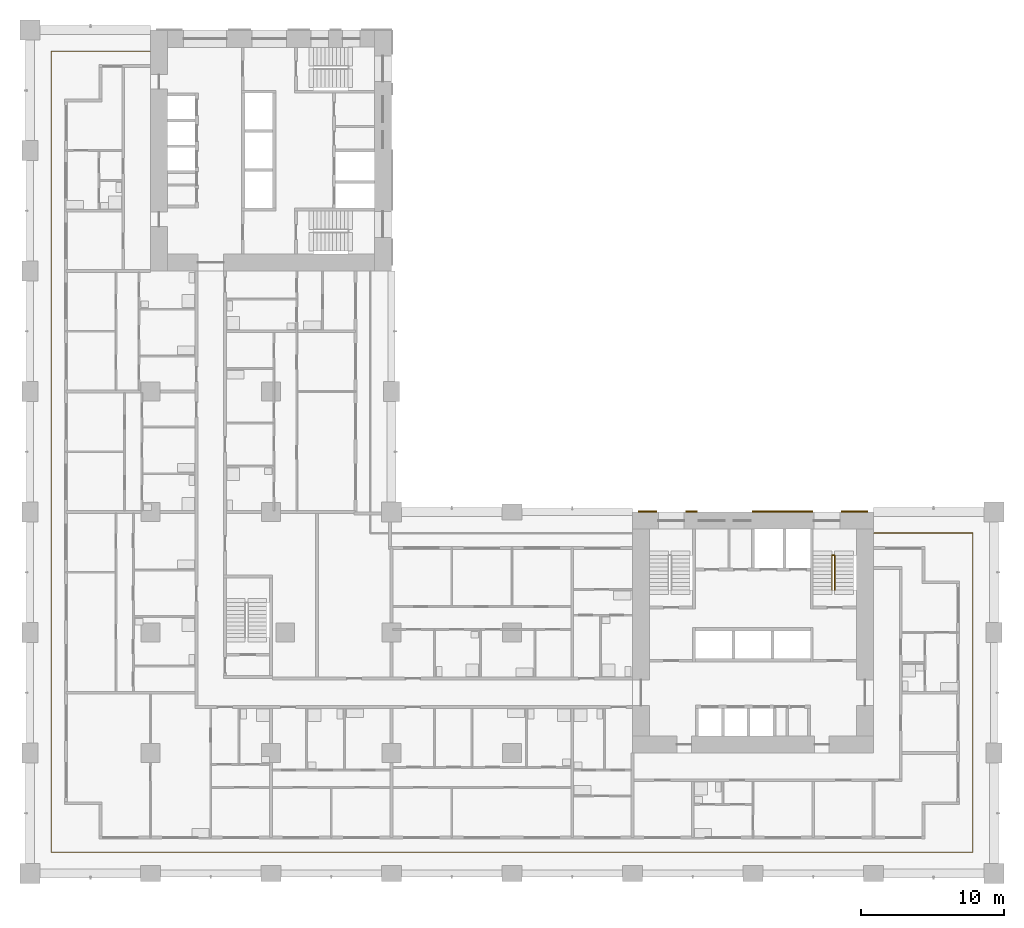
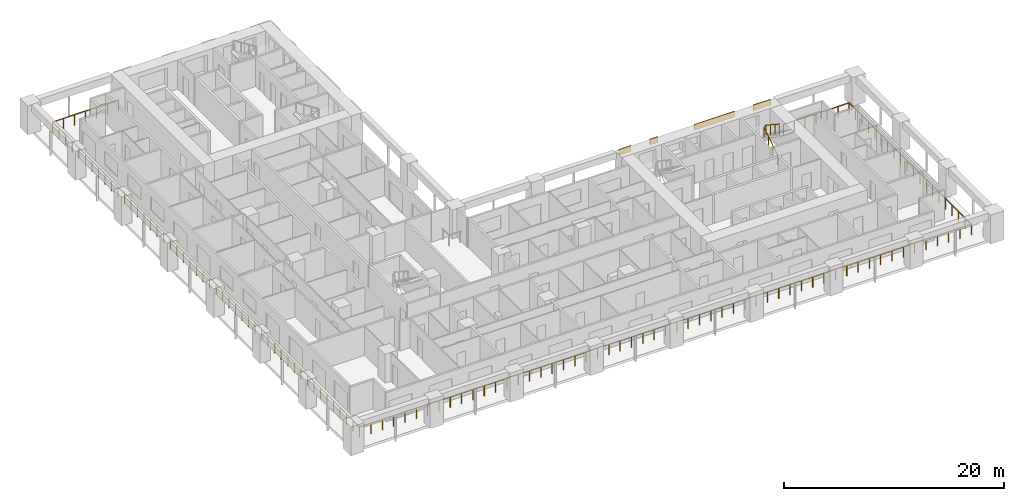
# One storey, part 14 of 19: 4 shading devices, 2 railings.
"""IFC4 building model written with IfcOpenShell, lengths in metres."""

from ifc_helpers import new_model, si_unit, direction, frame, origin, origin_2d, place, context, subcontext, project, spatial, rectangle, circle, extrude, material, layer, layer_set, type_object, element, save


model = new_model("IFC4")

# Units and contexts
model_context = context("Model", 3, precision=1e-05, world=origin(), true_north=direction((0.0, 1.0)))
body_context = subcontext(model_context, "Body", "Model", "MODEL_VIEW")
ifc_project = project(units=[si_unit("LENGTHUNIT", "METRE"), si_unit("AREAUNIT", "SQUARE_METRE"), si_unit("VOLUMEUNIT", "CUBIC_METRE"), si_unit("PLANEANGLEUNIT", "RADIAN"), si_unit("MASSUNIT", "GRAM", prefix="KILO")], contexts=[model_context])

# Site, building, storey
site_placement = place(None, origin())
site = spatial("IfcSite", under=ifc_project, at=site_placement, CompositionType="ELEMENT")
building_placement = place(site_placement, origin())
building = spatial("IfcBuilding", under=site, at=building_placement, Name="Vermilion Gate Residences", CompositionType="ELEMENT")
storey_placement = place(building_placement, frame((0.0, 0.0, 53.199951171875)))
storey = spatial("IfcBuildingStorey", under=building, at=storey_placement, Name="L12", CompositionType="ELEMENT", Elevation=53.199951171875)

# Railings
ifc_material_1 = material(Name="Stainless steel and toughened glass", Category="steel")
railing_type_1 = type_object("IfcRailingType", Name="LOGGIA GUARD STEEL AND GLASS 1200", PredefinedType="GUARDRAIL", material=ifc_material_1)
railing_1_placement = place(storey_placement, frame((8.3779296875, 57.324951171875, 0.0)))
element("IfcRailing", 1, at=railing_1_placement, inside=storey, type_object=railing_type_1, Name="Loggia guard", PredefinedType="GUARDRAIL", context=body_context, shape_type="SweptSolid", body=[
    extrude(circle(Radius=0.030029296875, at=origin_2d()), frame((0.0, 0.0, 1.169921875), z_axis=(-1.0, 0.0, 0.0), x_axis=(0.0, -1.0, 0.0)), (0.0, 0.0, 1.0), 6.90283203125),
    extrude(circle(Radius=0.030029296875, at=origin_2d()), frame((-6.90283203125, 0.0, 1.169921875), z_axis=(0.0, -1.0, 0.0), x_axis=(1.0, 0.0, 0.0)), (0.0, 0.0, 1.0), 55.849853515625),
    extrude(circle(Radius=0.030029296875, at=origin_2d()), frame((-6.90283203125, -55.849853515625, 1.169921875), z_axis=(1.0, 0.0, 0.0), x_axis=(0.0, 1.0, 0.0)), (0.0, 0.0, 1.0), 64.25),
    extrude(circle(Radius=0.030029296875, at=origin_2d()), frame((57.34716796875, -55.849853515625, 1.169921875), z_axis=(0.0, 1.0, 0.0), x_axis=(-1.0, 0.0, 0.0)), (0.0, 0.0, 1.0), 22.25),
    extrude(circle(Radius=0.030029296875, at=origin_2d()), frame((57.34716796875, -33.599853515625, 1.169921875), z_axis=(-1.0, 0.0, 0.0), x_axis=(0.0, -1.0, 0.0)), (0.0, 0.0, 1.0), 6.903076171875),
    extrude(circle(Radius=0.02490234375, at=origin_2d()), origin(), (0.0, 0.0, 1.0), 1.139892578125),
    extrude(circle(Radius=0.02490234375, at=origin_2d()), frame((-1.150390625, 0.0, 0.0)), (0.0, 0.0, 1.0), 1.139892578125),
    extrude(circle(Radius=0.02490234375, at=origin_2d()), frame((-2.301025390625, 0.0, 0.0)), (0.0, 0.0, 1.0), 1.139892578125),
    extrude(circle(Radius=0.02490234375, at=origin_2d()), frame((-3.451416015625, 0.0, 0.0)), (0.0, 0.0, 1.0), 1.139892578125),
    extrude(circle(Radius=0.02490234375, at=origin_2d()), frame((-4.601806640625, 0.0, 0.0)), (0.0, 0.0, 1.0), 1.139892578125),
    extrude(circle(Radius=0.02490234375, at=origin_2d()), frame((-5.75244140625, 0.0, 0.0)), (0.0, 0.0, 1.0), 1.139892578125),
    extrude(circle(Radius=0.02490234375, at=origin_2d()), frame((-6.90283203125, 0.0, 0.0)), (0.0, 0.0, 1.0), 1.139892578125),
    extrude(circle(Radius=0.02490234375, at=origin_2d()), frame((-6.90283203125, -1.188232421875, 0.0)), (0.0, 0.0, 1.0), 1.139892578125),
    extrude(circle(Radius=0.02490234375, at=origin_2d()), frame((-6.90283203125, -2.376708984375, 0.0)), (0.0, 0.0, 1.0), 1.139892578125),
    extrude(circle(Radius=0.02490234375, at=origin_2d()), frame((-6.90283203125, -3.56494140625, 0.0)), (0.0, 0.0, 1.0), 1.139892578125),
    extrude(circle(Radius=0.02490234375, at=origin_2d()), frame((-6.90283203125, -4.753173828125, 0.0)), (0.0, 0.0, 1.0), 1.139892578125),
    extrude(circle(Radius=0.02490234375, at=origin_2d()), frame((-6.90283203125, -5.94140625, 0.0)), (0.0, 0.0, 1.0), 1.139892578125),
    extrude(circle(Radius=0.02490234375, at=origin_2d()), frame((-6.90283203125, -7.1298828125, 0.0)), (0.0, 0.0, 1.0), 1.139892578125),
    extrude(circle(Radius=0.02490234375, at=origin_2d()), frame((-6.90283203125, -8.318115234375, 0.0)), (0.0, 0.0, 1.0), 1.139892578125),
    extrude(circle(Radius=0.02490234375, at=origin_2d()), frame((-6.90283203125, -9.50634765625, 0.0)), (0.0, 0.0, 1.0), 1.139892578125),
    extrude(circle(Radius=0.02490234375, at=origin_2d()), frame((-6.90283203125, -10.694580078125, 0.0)), (0.0, 0.0, 1.0), 1.139892578125),
    extrude(circle(Radius=0.02490234375, at=origin_2d()), frame((-6.90283203125, -11.883056640625, 0.0)), (0.0, 0.0, 1.0), 1.139892578125),
    extrude(circle(Radius=0.02490234375, at=origin_2d()), frame((-6.90283203125, -13.0712890625, 0.0)), (0.0, 0.0, 1.0), 1.139892578125),
    extrude(circle(Radius=0.02490234375, at=origin_2d()), frame((-6.90283203125, -14.259521484375, 0.0)), (0.0, 0.0, 1.0), 1.139892578125),
    extrude(circle(Radius=0.02490234375, at=origin_2d()), frame((-6.90283203125, -15.44775390625, 0.0)), (0.0, 0.0, 1.0), 1.139892578125),
    extrude(circle(Radius=0.02490234375, at=origin_2d()), frame((-6.90283203125, -16.63623046875, 0.0)), (0.0, 0.0, 1.0), 1.139892578125),
    extrude(circle(Radius=0.02490234375, at=origin_2d()), frame((-6.90283203125, -17.824462890625, 0.0)), (0.0, 0.0, 1.0), 1.139892578125),
    extrude(circle(Radius=0.02490234375, at=origin_2d()), frame((-6.90283203125, -19.0126953125, 0.0)), (0.0, 0.0, 1.0), 1.139892578125),
    extrude(circle(Radius=0.02490234375, at=origin_2d()), frame((-6.90283203125, -20.200927734375, 0.0)), (0.0, 0.0, 1.0), 1.139892578125),
    extrude(circle(Radius=0.02490234375, at=origin_2d()), frame((-6.90283203125, -21.389404296875, 0.0)), (0.0, 0.0, 1.0), 1.139892578125),
    extrude(circle(Radius=0.02490234375, at=origin_2d()), frame((-6.90283203125, -22.57763671875, 0.0)), (0.0, 0.0, 1.0), 1.139892578125),
    extrude(circle(Radius=0.02490234375, at=origin_2d()), frame((-6.90283203125, -23.765869140625, 0.0)), (0.0, 0.0, 1.0), 1.139892578125),
    extrude(circle(Radius=0.02490234375, at=origin_2d()), frame((-6.90283203125, -24.9541015625, 0.0)), (0.0, 0.0, 1.0), 1.139892578125),
    extrude(circle(Radius=0.02490234375, at=origin_2d()), frame((-6.90283203125, -26.142578125, 0.0)), (0.0, 0.0, 1.0), 1.139892578125),
    extrude(circle(Radius=0.02490234375, at=origin_2d()), frame((-6.90283203125, -27.330810546875, 0.0)), (0.0, 0.0, 1.0), 1.139892578125),
    extrude(circle(Radius=0.02490234375, at=origin_2d()), frame((-6.90283203125, -28.51904296875, 0.0)), (0.0, 0.0, 1.0), 1.139892578125),
    extrude(circle(Radius=0.02490234375, at=origin_2d()), frame((-6.90283203125, -29.707275390625, 0.0)), (0.0, 0.0, 1.0), 1.139892578125),
    extrude(circle(Radius=0.02490234375, at=origin_2d()), frame((-6.90283203125, -30.895751953125, 0.0)), (0.0, 0.0, 1.0), 1.139892578125),
    extrude(circle(Radius=0.02490234375, at=origin_2d()), frame((-6.90283203125, -32.083984375, 0.0)), (0.0, 0.0, 1.0), 1.139892578125),
    extrude(circle(Radius=0.02490234375, at=origin_2d()), frame((-6.90283203125, -33.272216796875, 0.0)), (0.0, 0.0, 1.0), 1.139892578125),
    extrude(circle(Radius=0.02490234375, at=origin_2d()), frame((-6.90283203125, -34.46044921875, 0.0)), (0.0, 0.0, 1.0), 1.139892578125),
    extrude(circle(Radius=0.02490234375, at=origin_2d()), frame((-6.90283203125, -35.64892578125, 0.0)), (0.0, 0.0, 1.0), 1.139892578125),
    extrude(circle(Radius=0.02490234375, at=origin_2d()), frame((-6.90283203125, -36.837158203125, 0.0)), (0.0, 0.0, 1.0), 1.139892578125),
    extrude(circle(Radius=0.02490234375, at=origin_2d()), frame((-6.90283203125, -38.025390625, 0.0)), (0.0, 0.0, 1.0), 1.139892578125),
    extrude(circle(Radius=0.02490234375, at=origin_2d()), frame((-6.90283203125, -39.213623046875, 0.0)), (0.0, 0.0, 1.0), 1.139892578125),
    extrude(circle(Radius=0.02490234375, at=origin_2d()), frame((-6.90283203125, -40.402099609375, 0.0)), (0.0, 0.0, 1.0), 1.139892578125),
    extrude(circle(Radius=0.02490234375, at=origin_2d()), frame((-6.90283203125, -41.59033203125, 0.0)), (0.0, 0.0, 1.0), 1.139892578125),
    extrude(circle(Radius=0.02490234375, at=origin_2d()), frame((-6.90283203125, -42.778564453125, 0.0)), (0.0, 0.0, 1.0), 1.139892578125),
    extrude(circle(Radius=0.02490234375, at=origin_2d()), frame((-6.90283203125, -43.966796875, 0.0)), (0.0, 0.0, 1.0), 1.139892578125),
    extrude(circle(Radius=0.02490234375, at=origin_2d()), frame((-6.90283203125, -45.1552734375, 0.0)), (0.0, 0.0, 1.0), 1.139892578125),
    extrude(circle(Radius=0.02490234375, at=origin_2d()), frame((-6.90283203125, -46.343505859375, 0.0)), (0.0, 0.0, 1.0), 1.139892578125),
    extrude(circle(Radius=0.02490234375, at=origin_2d()), frame((-6.90283203125, -47.53173828125, 0.0)), (0.0, 0.0, 1.0), 1.139892578125),
    extrude(circle(Radius=0.02490234375, at=origin_2d()), frame((-6.90283203125, -48.719970703125, 0.0)), (0.0, 0.0, 1.0), 1.139892578125),
    extrude(circle(Radius=0.02490234375, at=origin_2d()), frame((-6.90283203125, -49.908447265625, 0.0)), (0.0, 0.0, 1.0), 1.139892578125),
    extrude(circle(Radius=0.02490234375, at=origin_2d()), frame((-6.90283203125, -51.0966796875, 0.0)), (0.0, 0.0, 1.0), 1.139892578125),
    extrude(circle(Radius=0.02490234375, at=origin_2d()), frame((-6.90283203125, -52.284912109375, 0.0)), (0.0, 0.0, 1.0), 1.139892578125),
    extrude(circle(Radius=0.02490234375, at=origin_2d()), frame((-6.90283203125, -53.47314453125, 0.0)), (0.0, 0.0, 1.0), 1.139892578125),
    extrude(circle(Radius=0.02490234375, at=origin_2d()), frame((-6.90283203125, -54.66162109375, 0.0)), (0.0, 0.0, 1.0), 1.139892578125),
    extrude(circle(Radius=0.02490234375, at=origin_2d()), frame((-6.90283203125, -55.849853515625, 0.0)), (0.0, 0.0, 1.0), 1.139892578125),
    extrude(circle(Radius=0.02490234375, at=origin_2d()), frame((-5.713134765625, -55.849853515625, 0.0)), (0.0, 0.0, 1.0), 1.139892578125),
    extrude(circle(Radius=0.02490234375, at=origin_2d()), frame((-4.523193359375, -55.849853515625, 0.0)), (0.0, 0.0, 1.0), 1.139892578125),
    extrude(circle(Radius=0.02490234375, at=origin_2d()), frame((-3.33349609375, -55.849853515625, 0.0)), (0.0, 0.0, 1.0), 1.139892578125),
    extrude(circle(Radius=0.02490234375, at=origin_2d()), frame((-2.1435546875, -55.849853515625, 0.0)), (0.0, 0.0, 1.0), 1.139892578125),
    extrude(circle(Radius=0.02490234375, at=origin_2d()), frame((-0.953857421875, -55.849853515625, 0.0)), (0.0, 0.0, 1.0), 1.139892578125),
    extrude(circle(Radius=0.02490234375, at=origin_2d()), frame((0.236083984375, -55.849853515625, 0.0)), (0.0, 0.0, 1.0), 1.139892578125),
    extrude(circle(Radius=0.02490234375, at=origin_2d()), frame((1.42578125, -55.849853515625, 0.0)), (0.0, 0.0, 1.0), 1.139892578125),
    extrude(circle(Radius=0.02490234375, at=origin_2d()), frame((2.61572265625, -55.849853515625, 0.0)), (0.0, 0.0, 1.0), 1.139892578125),
    extrude(circle(Radius=0.02490234375, at=origin_2d()), frame((3.805419921875, -55.849853515625, 0.0)), (0.0, 0.0, 1.0), 1.139892578125),
    extrude(circle(Radius=0.02490234375, at=origin_2d()), frame((4.995361328125, -55.849853515625, 0.0)), (0.0, 0.0, 1.0), 1.139892578125),
    extrude(circle(Radius=0.02490234375, at=origin_2d()), frame((6.18505859375, -55.849853515625, 0.0)), (0.0, 0.0, 1.0), 1.139892578125),
    extrude(circle(Radius=0.02490234375, at=origin_2d()), frame((7.375, -55.849853515625, 0.0)), (0.0, 0.0, 1.0), 1.139892578125),
    extrude(circle(Radius=0.02490234375, at=origin_2d()), frame((8.564697265625, -55.849853515625, 0.0)), (0.0, 0.0, 1.0), 1.139892578125),
    extrude(circle(Radius=0.02490234375, at=origin_2d()), frame((9.754638671875, -55.849853515625, 0.0)), (0.0, 0.0, 1.0), 1.139892578125),
    extrude(circle(Radius=0.02490234375, at=origin_2d()), frame((10.9443359375, -55.849853515625, 0.0)), (0.0, 0.0, 1.0), 1.139892578125),
    extrude(circle(Radius=0.02490234375, at=origin_2d()), frame((12.13427734375, -55.849853515625, 0.0)), (0.0, 0.0, 1.0), 1.139892578125),
    extrude(circle(Radius=0.02490234375, at=origin_2d()), frame((13.323974609375, -55.849853515625, 0.0)), (0.0, 0.0, 1.0), 1.139892578125),
    extrude(circle(Radius=0.02490234375, at=origin_2d()), frame((14.513916015625, -55.849853515625, 0.0)), (0.0, 0.0, 1.0), 1.139892578125),
    extrude(circle(Radius=0.02490234375, at=origin_2d()), frame((15.70361328125, -55.849853515625, 0.0)), (0.0, 0.0, 1.0), 1.139892578125),
    extrude(circle(Radius=0.02490234375, at=origin_2d()), frame((16.8935546875, -55.849853515625, 0.0)), (0.0, 0.0, 1.0), 1.139892578125),
    extrude(circle(Radius=0.02490234375, at=origin_2d()), frame((18.083251953125, -55.849853515625, 0.0)), (0.0, 0.0, 1.0), 1.139892578125),
    extrude(circle(Radius=0.02490234375, at=origin_2d()), frame((19.273193359375, -55.849853515625, 0.0)), (0.0, 0.0, 1.0), 1.139892578125),
    extrude(circle(Radius=0.02490234375, at=origin_2d()), frame((20.462890625, -55.849853515625, 0.0)), (0.0, 0.0, 1.0), 1.139892578125),
    extrude(circle(Radius=0.02490234375, at=origin_2d()), frame((21.65283203125, -55.849853515625, 0.0)), (0.0, 0.0, 1.0), 1.139892578125),
    extrude(circle(Radius=0.02490234375, at=origin_2d()), frame((22.842529296875, -55.849853515625, 0.0)), (0.0, 0.0, 1.0), 1.139892578125),
    extrude(circle(Radius=0.02490234375, at=origin_2d()), frame((24.032470703125, -55.849853515625, 0.0)), (0.0, 0.0, 1.0), 1.139892578125),
    extrude(circle(Radius=0.02490234375, at=origin_2d()), frame((25.22216796875, -55.849853515625, 0.0)), (0.0, 0.0, 1.0), 1.139892578125),
    extrude(circle(Radius=0.02490234375, at=origin_2d()), frame((26.411865234375, -55.849853515625, 0.0)), (0.0, 0.0, 1.0), 1.139892578125),
    extrude(circle(Radius=0.02490234375, at=origin_2d()), frame((27.601806640625, -55.849853515625, 0.0)), (0.0, 0.0, 1.0), 1.139892578125),
    extrude(circle(Radius=0.02490234375, at=origin_2d()), frame((28.79150390625, -55.849853515625, 0.0)), (0.0, 0.0, 1.0), 1.139892578125),
    extrude(circle(Radius=0.02490234375, at=origin_2d()), frame((29.9814453125, -55.849853515625, 0.0)), (0.0, 0.0, 1.0), 1.139892578125),
    extrude(circle(Radius=0.02490234375, at=origin_2d()), frame((31.171142578125, -55.849853515625, 0.0)), (0.0, 0.0, 1.0), 1.139892578125),
    extrude(circle(Radius=0.02490234375, at=origin_2d()), frame((32.361083984375, -55.849853515625, 0.0)), (0.0, 0.0, 1.0), 1.139892578125),
    extrude(circle(Radius=0.02490234375, at=origin_2d()), frame((33.55078125, -55.849853515625, 0.0)), (0.0, 0.0, 1.0), 1.139892578125),
    extrude(circle(Radius=0.02490234375, at=origin_2d()), frame((34.74072265625, -55.849853515625, 0.0)), (0.0, 0.0, 1.0), 1.139892578125),
    extrude(circle(Radius=0.02490234375, at=origin_2d()), frame((35.930419921875, -55.849853515625, 0.0)), (0.0, 0.0, 1.0), 1.139892578125),
    extrude(circle(Radius=0.02490234375, at=origin_2d()), frame((37.120361328125, -55.849853515625, 0.0)), (0.0, 0.0, 1.0), 1.139892578125),
    extrude(circle(Radius=0.02490234375, at=origin_2d()), frame((38.31005859375, -55.849853515625, 0.0)), (0.0, 0.0, 1.0), 1.139892578125),
    extrude(circle(Radius=0.02490234375, at=origin_2d()), frame((39.5, -55.849853515625, 0.0)), (0.0, 0.0, 1.0), 1.139892578125),
    extrude(circle(Radius=0.02490234375, at=origin_2d()), frame((40.689697265625, -55.849853515625, 0.0)), (0.0, 0.0, 1.0), 1.139892578125),
    extrude(circle(Radius=0.02490234375, at=origin_2d()), frame((41.879638671875, -55.849853515625, 0.0)), (0.0, 0.0, 1.0), 1.139892578125),
    extrude(circle(Radius=0.02490234375, at=origin_2d()), frame((43.0693359375, -55.849853515625, 0.0)), (0.0, 0.0, 1.0), 1.139892578125),
    extrude(circle(Radius=0.02490234375, at=origin_2d()), frame((44.25927734375, -55.849853515625, 0.0)), (0.0, 0.0, 1.0), 1.139892578125),
    extrude(circle(Radius=0.02490234375, at=origin_2d()), frame((45.448974609375, -55.849853515625, 0.0)), (0.0, 0.0, 1.0), 1.139892578125),
    extrude(circle(Radius=0.02490234375, at=origin_2d()), frame((46.638916015625, -55.849853515625, 0.0)), (0.0, 0.0, 1.0), 1.139892578125),
    extrude(circle(Radius=0.02490234375, at=origin_2d()), frame((47.82861328125, -55.849853515625, 0.0)), (0.0, 0.0, 1.0), 1.139892578125),
    extrude(circle(Radius=0.02490234375, at=origin_2d()), frame((49.0185546875, -55.849853515625, 0.0)), (0.0, 0.0, 1.0), 1.139892578125),
    extrude(circle(Radius=0.02490234375, at=origin_2d()), frame((50.208251953125, -55.849853515625, 0.0)), (0.0, 0.0, 1.0), 1.139892578125),
    extrude(circle(Radius=0.02490234375, at=origin_2d()), frame((51.398193359375, -55.849853515625, 0.0)), (0.0, 0.0, 1.0), 1.139892578125),
    extrude(circle(Radius=0.02490234375, at=origin_2d()), frame((52.587890625, -55.849853515625, 0.0)), (0.0, 0.0, 1.0), 1.139892578125),
    extrude(circle(Radius=0.02490234375, at=origin_2d()), frame((53.77783203125, -55.849853515625, 0.0)), (0.0, 0.0, 1.0), 1.139892578125),
    extrude(circle(Radius=0.02490234375, at=origin_2d()), frame((54.967529296875, -55.849853515625, 0.0)), (0.0, 0.0, 1.0), 1.139892578125),
    extrude(circle(Radius=0.02490234375, at=origin_2d()), frame((56.157470703125, -55.849853515625, 0.0)), (0.0, 0.0, 1.0), 1.139892578125),
    extrude(circle(Radius=0.02490234375, at=origin_2d()), frame((57.34716796875, -55.849853515625, 0.0)), (0.0, 0.0, 1.0), 1.139892578125),
    extrude(circle(Radius=0.02490234375, at=origin_2d()), frame((57.34716796875, -54.6787109375, 0.0)), (0.0, 0.0, 1.0), 1.139892578125),
    extrude(circle(Radius=0.02490234375, at=origin_2d()), frame((57.34716796875, -53.5078125, 0.0)), (0.0, 0.0, 1.0), 1.139892578125),
    extrude(circle(Radius=0.02490234375, at=origin_2d()), frame((57.34716796875, -52.336669921875, 0.0)), (0.0, 0.0, 1.0), 1.139892578125),
    extrude(circle(Radius=0.02490234375, at=origin_2d()), frame((57.34716796875, -51.16552734375, 0.0)), (0.0, 0.0, 1.0), 1.139892578125),
    extrude(circle(Radius=0.02490234375, at=origin_2d()), frame((57.34716796875, -49.99462890625, 0.0)), (0.0, 0.0, 1.0), 1.139892578125),
    extrude(circle(Radius=0.02490234375, at=origin_2d()), frame((57.34716796875, -48.823486328125, 0.0)), (0.0, 0.0, 1.0), 1.139892578125),
    extrude(circle(Radius=0.02490234375, at=origin_2d()), frame((57.34716796875, -47.652587890625, 0.0)), (0.0, 0.0, 1.0), 1.139892578125),
    extrude(circle(Radius=0.02490234375, at=origin_2d()), frame((57.34716796875, -46.4814453125, 0.0)), (0.0, 0.0, 1.0), 1.139892578125),
    extrude(circle(Radius=0.02490234375, at=origin_2d()), frame((57.34716796875, -45.310302734375, 0.0)), (0.0, 0.0, 1.0), 1.139892578125),
    extrude(circle(Radius=0.02490234375, at=origin_2d()), frame((57.34716796875, -44.139404296875, 0.0)), (0.0, 0.0, 1.0), 1.139892578125),
    extrude(circle(Radius=0.02490234375, at=origin_2d()), frame((57.34716796875, -42.96826171875, 0.0)), (0.0, 0.0, 1.0), 1.139892578125),
    extrude(circle(Radius=0.02490234375, at=origin_2d()), frame((57.34716796875, -41.797119140625, 0.0)), (0.0, 0.0, 1.0), 1.139892578125),
    extrude(circle(Radius=0.02490234375, at=origin_2d()), frame((57.34716796875, -40.626220703125, 0.0)), (0.0, 0.0, 1.0), 1.139892578125),
    extrude(circle(Radius=0.02490234375, at=origin_2d()), frame((57.34716796875, -39.455078125, 0.0)), (0.0, 0.0, 1.0), 1.139892578125),
    extrude(circle(Radius=0.02490234375, at=origin_2d()), frame((57.34716796875, -38.2841796875, 0.0)), (0.0, 0.0, 1.0), 1.139892578125),
    extrude(circle(Radius=0.02490234375, at=origin_2d()), frame((57.34716796875, -37.113037109375, 0.0)), (0.0, 0.0, 1.0), 1.139892578125),
    extrude(circle(Radius=0.02490234375, at=origin_2d()), frame((57.34716796875, -35.94189453125, 0.0)), (0.0, 0.0, 1.0), 1.139892578125),
    extrude(circle(Radius=0.02490234375, at=origin_2d()), frame((57.34716796875, -34.77099609375, 0.0)), (0.0, 0.0, 1.0), 1.139892578125),
    extrude(circle(Radius=0.02490234375, at=origin_2d()), frame((57.34716796875, -33.599853515625, 0.0)), (0.0, 0.0, 1.0), 1.139892578125),
    extrude(circle(Radius=0.02490234375, at=origin_2d()), frame((56.19677734375, -33.599853515625, 0.0)), (0.0, 0.0, 1.0), 1.139892578125),
    extrude(circle(Radius=0.02490234375, at=origin_2d()), frame((55.046142578125, -33.599853515625, 0.0)), (0.0, 0.0, 1.0), 1.139892578125),
    extrude(circle(Radius=0.02490234375, at=origin_2d()), frame((53.8955078125, -33.599853515625, 0.0)), (0.0, 0.0, 1.0), 1.139892578125),
    extrude(circle(Radius=0.02490234375, at=origin_2d()), frame((52.7451171875, -33.599853515625, 0.0)), (0.0, 0.0, 1.0), 1.139892578125),
    extrude(circle(Radius=0.02490234375, at=origin_2d()), frame((51.5947265625, -33.599853515625, 0.0)), (0.0, 0.0, 1.0), 1.139892578125),
    extrude(circle(Radius=0.02490234375, at=origin_2d()), frame((50.444091796875, -33.599853515625, 0.0)), (0.0, 0.0, 1.0), 1.139892578125),
])
ifc_material_2 = material(Name="Steel S355", Category="steel")
railing_type_2 = type_object("IfcRailingType", Name="STAIR GUARD 1100 STEEL", PredefinedType="GUARDRAIL", material=ifc_material_2)
railing_2_placement = place(storey_placement, frame((55.89990234375, 19.75, 0.175048828125)))
element("IfcRailing", 2, at=railing_2_placement, inside=storey, type_object=railing_type_2, Name="Stair well guard STA2-12", PredefinedType="GUARDRAIL", context=body_context, shape_type="SweptSolid", body=[
    extrude(circle(Radius=0.02392578125, at=origin_2d()), frame((0.0, 0.0, 1.076171875), z_axis=(0.0, 0.839153699163, 0.543894354798), x_axis=(-1.0, 0.0, 0.0)), (0.0, 0.0, 1.0), 2.895751953125),
    extrude(circle(Radius=0.02392578125, at=origin_2d()), frame((0.0, 2.429931640625, 2.65087890625), z_axis=(0.752804132164, 0.0, 0.658244588734), x_axis=(0.0, 1.0, 0.0)), (0.0, 0.0, 1.0), 0.265869140625),
    extrude(circle(Radius=0.02392578125, at=origin_2d()), frame((0.2001953125, 2.429931640625, 2.826171875), z_axis=(0.0, -0.839153699163, 0.543894354798), x_axis=(1.0, 0.0, 0.0)), (0.0, 0.0, 1.0), 2.895751953125),
    extrude(circle(Radius=0.02099609375, at=origin_2d()), origin(), (0.0, 0.0, 1.0), 1.052001953125),
    extrude(circle(Radius=0.02099609375, at=origin_2d()), frame((0.0, 0.81005859375, 0.52490234375)), (0.0, 0.0, 1.0), 1.052001953125),
    extrude(circle(Radius=0.02099609375, at=origin_2d()), frame((0.0, 1.619873046875, 1.050048828125)), (0.0, 0.0, 1.0), 1.052001953125),
    extrude(circle(Radius=0.02099609375, at=origin_2d()), frame((0.0, 2.429931640625, 1.574951171875)), (0.0, 0.0, 1.0), 1.052001953125),
    extrude(circle(Radius=0.02099609375, at=origin_2d()), frame((0.2001953125, 2.429931640625, 1.75)), (0.0, 0.0, 1.0), 1.052001953125),
    extrude(circle(Radius=0.02099609375, at=origin_2d()), frame((0.2001953125, 1.619873046875, 2.27490234375)), (0.0, 0.0, 1.0), 1.052001953125),
    extrude(circle(Radius=0.02099609375, at=origin_2d()), frame((0.2001953125, 0.81005859375, 2.800048828125)), (0.0, 0.0, 1.0), 1.052001953125),
    extrude(circle(Radius=0.02099609375, at=origin_2d()), frame((0.2001953125, 0.0, 3.324951171875)), (0.0, 0.0, 1.0), 1.052001953125),
])

# Shading devices
ifc_material_3 = material(Name="Extruded terracotta", Category="masonry")
ifc_layer = layer(ifc_material_3, 0.10009765625)
ifc_layer_set = layer_set([ifc_layer], Name="TERRACOTTA SPANDREL BAND 600 X 100")
shading_device_type = type_object("IfcShadingDeviceType", Name="TERRACOTTA SPANDREL BAND 600 X 100", PredefinedType="USERDEFINED", material=ifc_layer_set)
shading_device_1_placement = place(storey_placement, frame((43.050048828125, 25.25, 2.6201171875), z_axis=(0.0, 0.0, 1.0), x_axis=(1.0, 0.0, 0.0)))
element("IfcShadingDevice", 3, at=shading_device_1_placement, inside=storey, type_object=shading_device_type, Name="SPANDREL BAND", ObjectType="BAND", PredefinedType="USERDEFINED", context=body_context, shape_type="SweptSolid", body=[
    extrude(rectangle(XDim=1.300048828125, YDim=0.10009765625, at=origin_2d()), origin(), (0.0, 0.0, 1.0), 0.60009765625),
])
shading_device_2_placement = place(storey_placement, frame((46.112548828125, 25.25, 2.6201171875), z_axis=(0.0, 0.0, 1.0), x_axis=(1.0, 0.0, 0.0)))
element("IfcShadingDevice", 4, at=shading_device_2_placement, inside=storey, type_object=shading_device_type, Name="SPANDREL BAND", ObjectType="BAND", PredefinedType="USERDEFINED", context=body_context, shape_type="SweptSolid", body=[
    extrude(rectangle(XDim=0.824951171875, YDim=0.10009765625, at=origin_2d()), origin(), (0.0, 0.0, 1.0), 0.60009765625),
])
shading_device_3_placement = place(storey_placement, frame((52.449951171875, 25.25, 2.6201171875), z_axis=(0.0, 0.0, 1.0), x_axis=(1.0, 0.0, 0.0)))
element("IfcShadingDevice", 5, at=shading_device_3_placement, inside=storey, type_object=shading_device_type, Name="SPANDREL BAND", ObjectType="BAND", PredefinedType="USERDEFINED", context=body_context, shape_type="SweptSolid", body=[
    extrude(rectangle(XDim=4.199951171875, YDim=0.10009765625, at=origin_2d()), origin(), (0.0, 0.0, 1.0), 0.60009765625),
])
shading_device_4_placement = place(storey_placement, frame((57.47509765625, 25.25, 2.6201171875), z_axis=(0.0, 0.0, 1.0), x_axis=(1.0, 0.0, 0.0)))
element("IfcShadingDevice", 6, at=shading_device_4_placement, inside=storey, type_object=shading_device_type, Name="SPANDREL BAND", ObjectType="BAND", PredefinedType="USERDEFINED", context=body_context, shape_type="SweptSolid", body=[
    extrude(rectangle(XDim=1.85009765625, YDim=0.10009765625, at=origin_2d()), origin(), (0.0, 0.0, 1.0), 0.60009765625),
])

save(model, "model.ifc")
